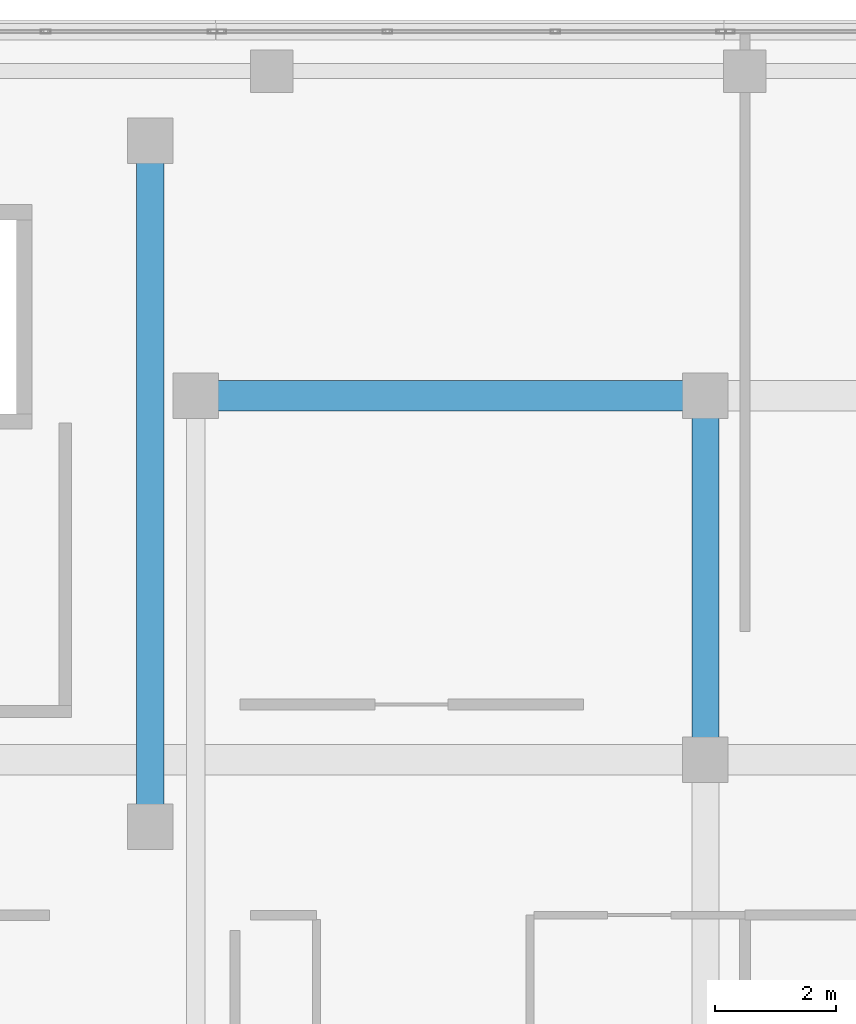
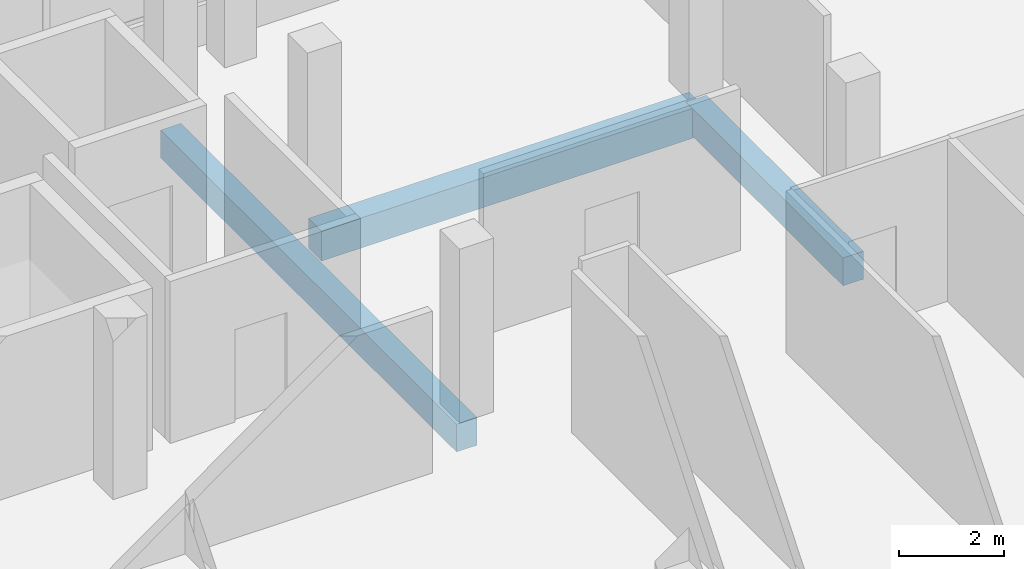
# One storey, part 66 of 101: 3 beams.
"""IFC4 building model written with IfcOpenShell, lengths in metres."""

from ifc_helpers import new_model, si_unit, direction, frame, origin, origin_2d, place, context, subcontext, project, spatial, rectangle, extrude, material, material_profile, profile_set, type_object, element, save


model = new_model("IFC4")

# Units and contexts
model_context = context("Model", 3, precision=1e-05, world=origin(), true_north=direction((0.0, 1.0)))
body_context = subcontext(model_context, "Body", "Model", "MODEL_VIEW")
ifc_project = project(units=[si_unit("LENGTHUNIT", "METRE"), si_unit("AREAUNIT", "SQUARE_METRE"), si_unit("VOLUMEUNIT", "CUBIC_METRE"), si_unit("PLANEANGLEUNIT", "RADIAN"), si_unit("MASSUNIT", "GRAM", prefix="KILO")], contexts=[model_context])

# Site, building, storey
site_placement = place(None, origin())
site = spatial("IfcSite", under=ifc_project, at=site_placement, CompositionType="ELEMENT")
building_placement = place(site_placement, origin())
building = spatial("IfcBuilding", under=site, at=building_placement, Name="Selatvlak General Hospital", CompositionType="ELEMENT")
storey_placement = place(building_placement, frame((0.0, 0.0, 19.199951171875)))
storey = spatial("IfcBuildingStorey", under=building, at=storey_placement, Name="L04", CompositionType="ELEMENT", Elevation=19.199951171875)

# Beams
ifc_material = material(Name="Concrete C40/50", Category="concrete")
ifc_material_profile_1 = material_profile(ifc_material, rectangle(XDim=0.5, YDim=0.699951171875, at=origin_2d()), Name="RC-BM 500x700")
ifc_profile_set_1 = profile_set([ifc_material_profile_1], Name="Concrete C40/50")
beam_type_1 = type_object("IfcBeamType", Name="BM-G03", PredefinedType="BEAM", material=ifc_profile_set_1)
beam_1_placement = place(storey_placement, frame((148.14990234375, 114.0, -0.655029296875), z_axis=(1.0, 0.0, 0.0), x_axis=(0.0, 1.0, 0.0)))
element("IfcBeam", 1, at=beam_1_placement, inside=storey, type_object=beam_type_1, Name="Beam BMR-L04-1623", PredefinedType="BEAM", context=body_context, shape_type="SweptSolid", body=[
    extrude(rectangle(XDim=0.5, YDim=0.699951171875, at=origin_2d()), origin(), (0.0, 0.0, 1.0), 8.400146484375),
])
ifc_material_profile_2 = material_profile(ifc_material, rectangle(XDim=0.449951171875, YDim=0.64990234375, at=origin_2d()), Name="RC-BM 450x650")
ifc_profile_set_2 = profile_set([ifc_material_profile_2], Name="Concrete C40/50")
beam_type_2 = type_object("IfcBeamType", Name="BM-G04", PredefinedType="BEAM", material=ifc_profile_set_2)
beam_2_placement = place(storey_placement, frame((147.39990234375, 106.89990234375, -0.6298828125), z_axis=(0.0, 1.0, 0.0), x_axis=(-1.0, 0.0, 0.0)))
element("IfcBeam", 2, at=beam_2_placement, inside=storey, type_object=beam_type_2, Name="Beam BMR-L04-1731", PredefinedType="BEAM", context=body_context, shape_type="SweptSolid", body=[
    extrude(rectangle(XDim=0.449951171875, YDim=0.64990234375, at=origin_2d()), origin(), (0.0, 0.0, 1.0), 11.300048828125),
])
beam_3_placement = place(storey_placement, frame((156.550048828125, 108.0, -0.6298828125), z_axis=(0.0, 1.0, 0.0), x_axis=(-1.0, 0.0, 0.0)))
element("IfcBeam", 3, at=beam_3_placement, inside=storey, type_object=beam_type_2, Name="Beam BMR-L04-1747", PredefinedType="BEAM", context=body_context, shape_type="SweptSolid", body=[
    extrude(rectangle(XDim=0.449951171875, YDim=0.64990234375, at=origin_2d()), origin(), (0.0, 0.0, 1.0), 6.0),
])

save(model, "model.ifc")
